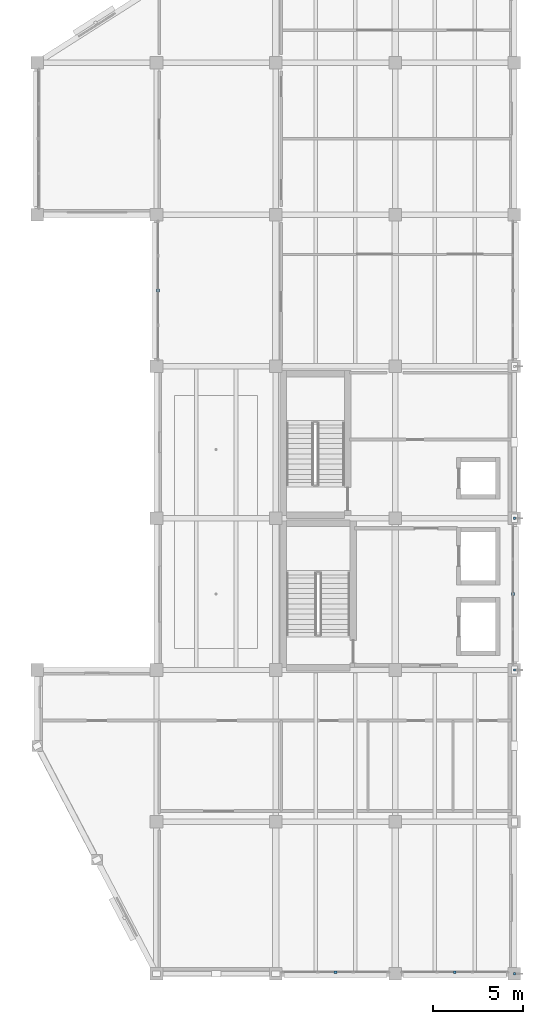
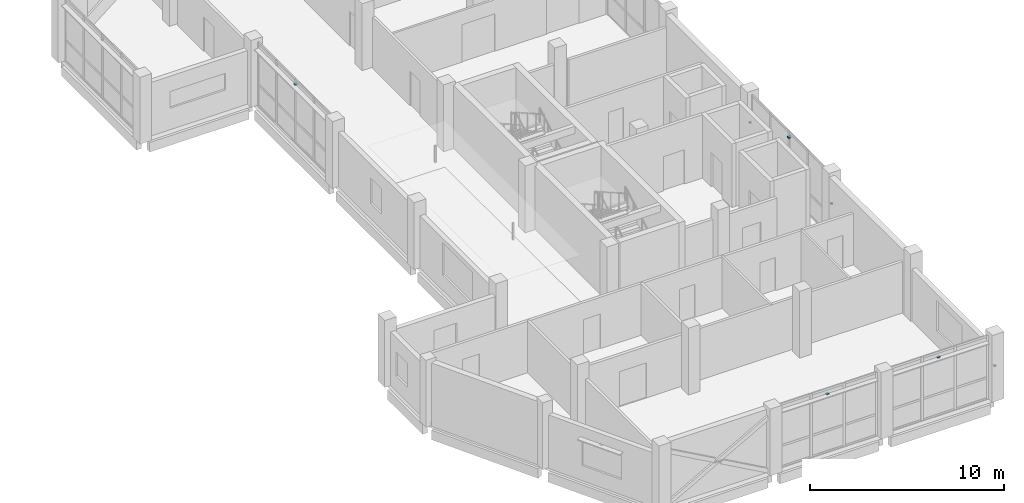
# One storey, part 42 of 47: 7 discrete accessories.
"""IFC4 building model written with IfcOpenShell, lengths in metres."""

from ifc_helpers import new_model, si_unit, direction, frame, origin, origin_2d, place, context, subcontext, project, spatial, rectangle, extrude, material, layer, layer_set, type_object, element, save


model = new_model("IFC4")

# Units and contexts
model_context = context("Model", 3, precision=1e-05, world=origin(), true_north=direction((0.0, 1.0)))
body_context = subcontext(model_context, "Body", "Model", "MODEL_VIEW")
ifc_project = project(units=[si_unit("LENGTHUNIT", "METRE"), si_unit("AREAUNIT", "SQUARE_METRE"), si_unit("VOLUMEUNIT", "CUBIC_METRE"), si_unit("PLANEANGLEUNIT", "RADIAN"), si_unit("MASSUNIT", "GRAM", prefix="KILO")], contexts=[model_context])

# Site, building, storey
site_placement = place(None, origin())
site = spatial("IfcSite", under=ifc_project, at=site_placement, CompositionType="ELEMENT")
building_placement = place(site_placement, origin())
building = spatial("IfcBuilding", under=site, at=building_placement, Name="Qaldarim Faculty of Natural and Applied Sciences", CompositionType="ELEMENT")
storey_placement = place(building_placement, frame((0.0, 0.0, 22.800048828125)))
storey = spatial("IfcBuildingStorey", under=building, at=storey_placement, Name="L05", CompositionType="ELEMENT", Elevation=22.800048828125)

# Discrete accessories
ifc_material = material(Name="Architectural stainless steel 316", Category="steel")
ifc_layer = layer(ifc_material, 0.080078125)
ifc_layer_set = layer_set([ifc_layer], Name="Architectural stainless steel 316")
discrete_accessory_type = type_object("IfcDiscreteAccessoryType", Name="FacadeBracket-SS120", PredefinedType="BRACKET", material=ifc_layer_set)
for number, where, z_axis, x_axis, name in (
    (1, (158.47998046875, 37.800048828125, 3.58984375), (0.0, 0.0, 1.0), (0.0, 1.0, 0.0), "Solar louvre support bracket SHD-L05-W-X25Y05"),
    (2, (168.300048828125, 0.080078125, 3.58984375), (0.0, 0.0, 1.0), (1.0, 0.0, 0.0), "Solar louvre support bracket SHD-L05-S-X26Y01"),
    (3, (174.89990234375, 0.080078125, 3.58984375), (0.0, 0.0, 1.0), (1.0, 0.0, 0.0), "Solar louvre support bracket SHD-L05-S-X27Y01"),
    (4, (178.1201171875, 21.0, 3.58984375), (0.0, 0.0, 1.0), (0.0, 1.0, 0.0), "Solar louvre support bracket SHD-L05-E-X27Y03"),
):
    element("IfcDiscreteAccessory", number, at=place(storey_placement, frame(where, z_axis=z_axis, x_axis=x_axis)), inside=storey, type_object=discrete_accessory_type, Name=name, PredefinedType="BRACKET", context=body_context, shape_type="SweptSolid", body=[
        extrude(rectangle(XDim=0.159912109375, YDim=0.159912109375, at=origin_2d()), origin(), (0.0, 0.0, 1.0), 0.080078125),
    ])
for number, where, z_axis, x_axis, name in (
    (5, (178.199951171875, 0.0, 1.949951171875), (0.0, 0.0, 1.0), (1.0, 0.0, 0.0), "Tower fin bracket FIN-V5E-L05-Y01"),
    (6, (178.199951171875, 16.800048828125, 1.949951171875), (0.0, 0.0, 1.0), (1.0, 0.0, 0.0), "Tower fin bracket FIN-V5E-L05-Y03"),
    (7, (178.199951171875, 25.199951171875, 1.949951171875), (0.0, 0.0, 1.0), (1.0, 0.0, 0.0), "Tower fin bracket FIN-V5E-L05-Y04"),
):
    element("IfcDiscreteAccessory", number, at=place(storey_placement, frame(where, z_axis=z_axis, x_axis=x_axis)), inside=storey, type_object=discrete_accessory_type, Name=name, PredefinedType="BRACKET", context=body_context, shape_type="SweptSolid", body=[
        extrude(rectangle(XDim=0.1201171875, YDim=0.1201171875, at=origin_2d()), origin(), (0.0, 0.0, 1.0), 0.080078125),
    ])

save(model, "model.ifc")
